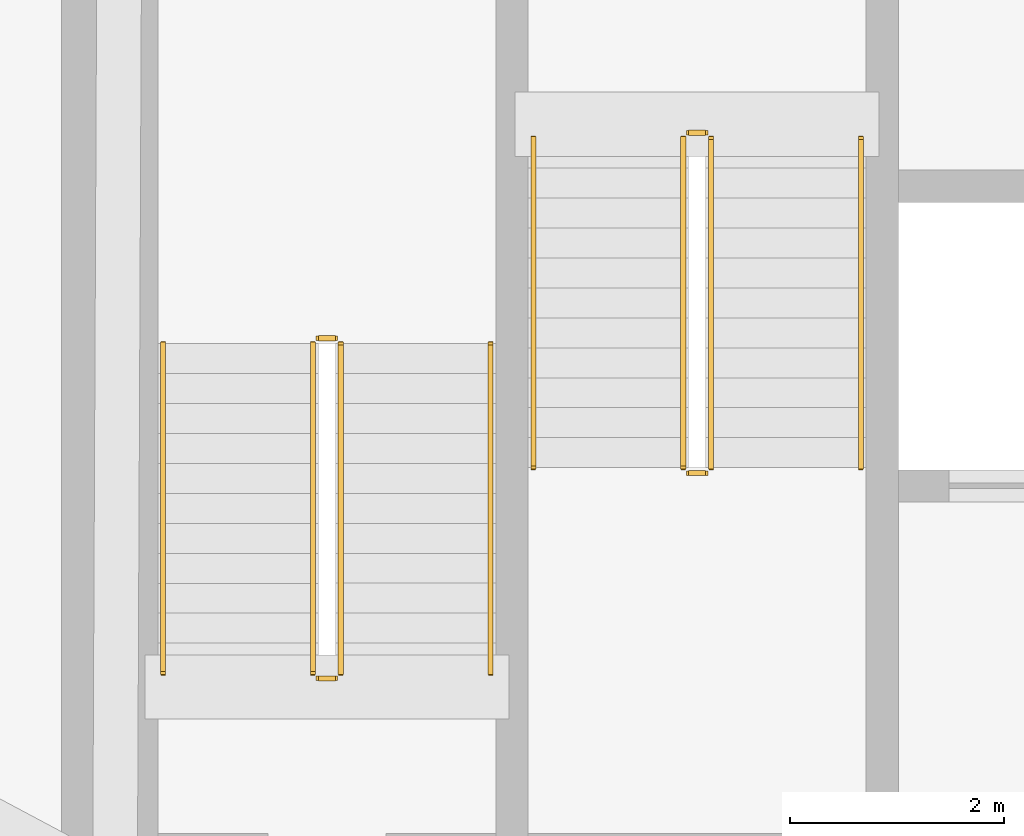
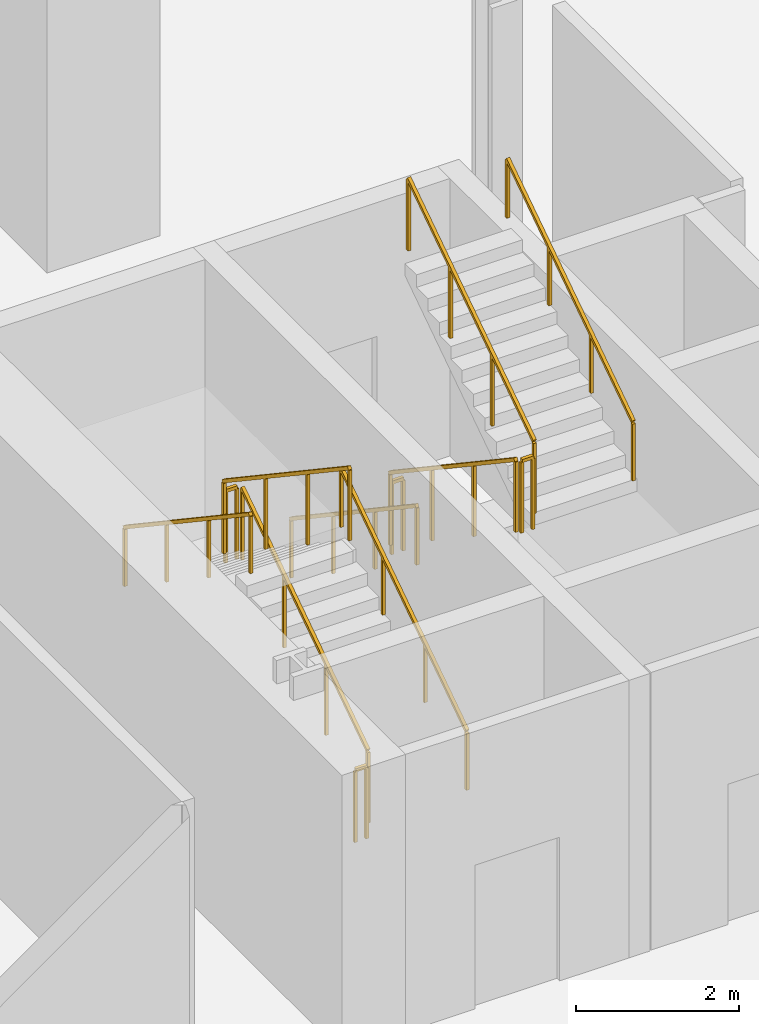
# One storey, part 9 of 10: 12 railings.
"""IFC4 building model written with IfcOpenShell, lengths in metres."""

from ifc_helpers import new_model, si_unit, direction, frame, origin, origin_2d, place, context, subcontext, project, spatial, rectangle, extrude, material, type_object, element, save


model = new_model("IFC4")

# Units and contexts
model_context = context("Model", 3, precision=1e-05, world=origin(), true_north=direction((0.0, 1.0)))
body_context = subcontext(model_context, "Body", "Model", "MODEL_VIEW")
ifc_project = project(units=[si_unit("LENGTHUNIT", "METRE"), si_unit("AREAUNIT", "SQUARE_METRE"), si_unit("VOLUMEUNIT", "CUBIC_METRE"), si_unit("PLANEANGLEUNIT", "RADIAN"), si_unit("MASSUNIT", "GRAM", prefix="KILO"), si_unit("THERMODYNAMICTEMPERATUREUNIT", "KELVIN"), si_unit("POWERUNIT", "WATT")], contexts=[model_context])

# Site, building, storey
site_placement = place(None, origin())
site = spatial("IfcSite", under=ifc_project, at=site_placement, CompositionType="ELEMENT")
building_placement = place(site_placement, origin())
building = spatial("IfcBuilding", under=site, at=building_placement, Name="Cundina Bronze Exchange", CompositionType="ELEMENT")
storey_placement = place(building_placement, frame((0.0, 0.0, -4.5)))
storey = spatial("IfcBuildingStorey", under=building, at=storey_placement, Name="B01", CompositionType="ELEMENT", Elevation=-4.5)

# Railings
ifc_material = material(Name="Steel ASTM A36 Painted", Category="steel")
railing_type_1 = type_object("IfcRailingType", Name="RLG-HND-900", PredefinedType="HANDRAIL", material=ifc_material)
railing_1_placement = place(storey_placement, frame((-27.7900390625, 5.85009765625, 0.1875)))
element("IfcRailing", 1, at=railing_1_placement, inside=storey, type_object=railing_type_1, Name="B01 ST-W1 stair handrail 1", PredefinedType="HANDRAIL", context=body_context, shape_type="SweptSolid", body=[
    extrude(rectangle(XDim=0.048095703125, YDim=0.048095703125, at=origin_2d()), frame((0.0, 0.0, 0.8759765625), z_axis=(0.0, 0.830893310487, 0.556431762742), x_axis=(-1.0, 0.0, 0.0)), (0.0, 0.0, 1.0), 3.70654296875),
    extrude(rectangle(XDim=0.0419921875, YDim=0.0419921875, at=origin_2d()), origin(), (0.0, 0.0, 1.0), 0.851806640625),
    extrude(rectangle(XDim=0.0419921875, YDim=0.0419921875, at=origin_2d()), frame((0.0, 1.026611328125, 0.6875)), (0.0, 0.0, 1.0), 0.851806640625),
    extrude(rectangle(XDim=0.0419921875, YDim=0.0419921875, at=origin_2d()), frame((0.0, 2.05322265625, 1.375)), (0.0, 0.0, 1.0), 0.851806640625),
    extrude(rectangle(XDim=0.0419921875, YDim=0.0419921875, at=origin_2d()), frame((0.0, 3.079833984375, 2.0625)), (0.0, 0.0, 1.0), 0.851806640625),
])
railing_2_placement = place(storey_placement, frame((-30.85009765625, 8.929931640625, 2.4375)))
element("IfcRailing", 2, at=railing_2_placement, inside=storey, type_object=railing_type_1, Name="B01 ST-W1 stair handrail 2", PredefinedType="HANDRAIL", context=body_context, shape_type="SweptSolid", body=[
    extrude(rectangle(XDim=0.048095703125, YDim=0.048095703125, at=origin_2d()), frame((0.0, 0.0, 0.8759765625), z_axis=(0.0, -0.830893310487, 0.556431762742), x_axis=(1.0, 0.0, 0.0)), (0.0, 0.0, 1.0), 3.70654296875),
    extrude(rectangle(XDim=0.0419921875, YDim=0.0419921875, at=origin_2d()), origin(), (0.0, 0.0, 1.0), 0.851806640625),
    extrude(rectangle(XDim=0.0419921875, YDim=0.0419921875, at=origin_2d()), frame((0.0, -1.026611328125, 0.6875)), (0.0, 0.0, 1.0), 0.851806640625),
    extrude(rectangle(XDim=0.0419921875, YDim=0.0419921875, at=origin_2d()), frame((0.0, -2.05322265625, 1.375)), (0.0, 0.0, 1.0), 0.851806640625),
    extrude(rectangle(XDim=0.0419921875, YDim=0.0419921875, at=origin_2d()), frame((0.0, -3.079833984375, 2.0625)), (0.0, 0.0, 1.0), 0.851806640625),
])
railing_3_placement = place(storey_placement, frame((-27.389892578125, 10.85009765625, 0.1875)))
element("IfcRailing", 3, at=railing_3_placement, inside=storey, type_object=railing_type_1, Name="B01 ST-W2 stair handrail 1", PredefinedType="HANDRAIL", context=body_context, shape_type="SweptSolid", body=[
    extrude(rectangle(XDim=0.048095703125, YDim=0.048095703125, at=origin_2d()), frame((0.0, 0.0, 0.8759765625), z_axis=(0.0, -0.830913701846, 0.55640131208), x_axis=(1.0, 0.0, 0.0)), (0.0, 0.0, 1.0), 3.706787109375),
    extrude(rectangle(XDim=0.0419921875, YDim=0.0419921875, at=origin_2d()), origin(), (0.0, 0.0, 1.0), 0.851806640625),
    extrude(rectangle(XDim=0.0419921875, YDim=0.0419921875, at=origin_2d()), frame((0.0, -1.026611328125, 0.6875)), (0.0, 0.0, 1.0), 0.851806640625),
    extrude(rectangle(XDim=0.0419921875, YDim=0.0419921875, at=origin_2d()), frame((0.0, -2.053466796875, 1.375)), (0.0, 0.0, 1.0), 0.851806640625),
    extrude(rectangle(XDim=0.0419921875, YDim=0.0419921875, at=origin_2d()), frame((0.0, -3.080078125, 2.0625)), (0.0, 0.0, 1.0), 0.851806640625),
])
railing_4_placement = place(storey_placement, frame((-24.330078125, 7.77001953125, 2.4375)))
element("IfcRailing", 4, at=railing_4_placement, inside=storey, type_object=railing_type_1, Name="B01 ST-W2 stair handrail 2", PredefinedType="HANDRAIL", context=body_context, shape_type="SweptSolid", body=[
    extrude(rectangle(XDim=0.048095703125, YDim=0.048095703125, at=origin_2d()), frame((0.0, 0.0, 0.8759765625), z_axis=(0.0, 0.830913701846, 0.55640131208), x_axis=(-1.0, 0.0, 0.0)), (0.0, 0.0, 1.0), 3.706787109375),
    extrude(rectangle(XDim=0.0419921875, YDim=0.0419921875, at=origin_2d()), origin(), (0.0, 0.0, 1.0), 0.851806640625),
    extrude(rectangle(XDim=0.0419921875, YDim=0.0419921875, at=origin_2d()), frame((0.0, 1.026611328125, 0.6875)), (0.0, 0.0, 1.0), 0.851806640625),
    extrude(rectangle(XDim=0.0419921875, YDim=0.0419921875, at=origin_2d()), frame((0.0, 2.053466796875, 1.375)), (0.0, 0.0, 1.0), 0.851806640625),
    extrude(rectangle(XDim=0.0419921875, YDim=0.0419921875, at=origin_2d()), frame((0.0, 3.080078125, 2.0625)), (0.0, 0.0, 1.0), 0.851806640625),
])
railing_type_2 = type_object("IfcRailingType", Name="RLG-STG-1100", PredefinedType="GUARDRAIL", material=ifc_material)
railing_5_placement = place(storey_placement, frame((-29.18994140625, 5.85009765625, 0.1875)))
element("IfcRailing", 5, at=railing_5_placement, inside=storey, type_object=railing_type_2, Name="B01 ST-W1 stair guard 1", PredefinedType="GUARDRAIL", context=body_context, shape_type="SweptSolid", body=[
    extrude(rectangle(XDim=0.048095703125, YDim=0.048095703125, at=origin_2d()), frame((0.0, 0.0, 1.076171875), z_axis=(0.0, 0.830893310487, 0.556431762742), x_axis=(-1.0, 0.0, 0.0)), (0.0, 0.0, 1.0), 3.70654296875),
    extrude(rectangle(XDim=0.0419921875, YDim=0.0419921875, at=origin_2d()), origin(), (0.0, 0.0, 1.0), 1.052001953125),
    extrude(rectangle(XDim=0.0419921875, YDim=0.0419921875, at=origin_2d()), frame((0.0, 1.026611328125, 0.6875)), (0.0, 0.0, 1.0), 1.052001953125),
    extrude(rectangle(XDim=0.0419921875, YDim=0.0419921875, at=origin_2d()), frame((0.0, 2.05322265625, 1.375)), (0.0, 0.0, 1.0), 1.052001953125),
    extrude(rectangle(XDim=0.0419921875, YDim=0.0419921875, at=origin_2d()), frame((0.0, 3.079833984375, 2.0625)), (0.0, 0.0, 1.0), 1.052001953125),
])
railing_6_placement = place(storey_placement, frame((-29.239990234375, 8.97998046875, 2.25)))
element("IfcRailing", 6, at=railing_6_placement, inside=storey, type_object=railing_type_2, Name="B01 ST-W1 stair guard 2", PredefinedType="GUARDRAIL", context=body_context, shape_type="SweptSolid", body=[
    extrude(rectangle(XDim=0.048095703125, YDim=0.048095703125, at=origin_2d()), frame((0.0, 0.0, 1.076171875), z_axis=(-1.0, 0.0, 0.0), x_axis=(0.0, -1.0, 0.0)), (0.0, 0.0, 1.0), 0.159912109375),
    extrude(rectangle(XDim=0.0419921875, YDim=0.0419921875, at=origin_2d()), origin(), (0.0, 0.0, 1.0), 1.052001953125),
    extrude(rectangle(XDim=0.0419921875, YDim=0.0419921875, at=origin_2d()), frame((-0.159912109375, 0.0, 0.0)), (0.0, 0.0, 1.0), 1.052001953125),
])
railing_7_placement = place(storey_placement, frame((-29.449951171875, 8.929931640625, 2.4375)))
element("IfcRailing", 7, at=railing_7_placement, inside=storey, type_object=railing_type_2, Name="B01 ST-W1 stair guard 3", PredefinedType="GUARDRAIL", context=body_context, shape_type="SweptSolid", body=[
    extrude(rectangle(XDim=0.048095703125, YDim=0.048095703125, at=origin_2d()), frame((0.0, 0.0, 1.076171875), z_axis=(0.0, -0.830893310487, 0.556431762742), x_axis=(1.0, 0.0, 0.0)), (0.0, 0.0, 1.0), 3.70654296875),
    extrude(rectangle(XDim=0.0419921875, YDim=0.0419921875, at=origin_2d()), origin(), (0.0, 0.0, 1.0), 1.052001953125),
    extrude(rectangle(XDim=0.0419921875, YDim=0.0419921875, at=origin_2d()), frame((0.0, -1.026611328125, 0.6875)), (0.0, 0.0, 1.0), 1.052001953125),
    extrude(rectangle(XDim=0.0419921875, YDim=0.0419921875, at=origin_2d()), frame((0.0, -2.05322265625, 1.375)), (0.0, 0.0, 1.0), 1.052001953125),
    extrude(rectangle(XDim=0.0419921875, YDim=0.0419921875, at=origin_2d()), frame((0.0, -3.079833984375, 2.0625)), (0.0, 0.0, 1.0), 1.052001953125),
])
railing_8_placement = place(storey_placement, frame((-29.239990234375, 5.800048828125, 0.0)))
element("IfcRailing", 8, at=railing_8_placement, inside=storey, type_object=railing_type_2, Name="B01 ST-W1 stair guard 4", PredefinedType="GUARDRAIL", context=body_context, shape_type="SweptSolid", body=[
    extrude(rectangle(XDim=0.048095703125, YDim=0.048095703125, at=origin_2d()), frame((0.0, 0.0, 1.076171875), z_axis=(-1.0, 0.0, 0.0), x_axis=(0.0, -1.0, 0.0)), (0.0, 0.0, 1.0), 0.159912109375),
    extrude(rectangle(XDim=0.0419921875, YDim=0.0419921875, at=origin_2d()), origin(), (0.0, 0.0, 1.0), 1.052001953125),
    extrude(rectangle(XDim=0.0419921875, YDim=0.0419921875, at=origin_2d()), frame((-0.159912109375, 0.0, 0.0)), (0.0, 0.0, 1.0), 1.052001953125),
])
railing_9_placement = place(storey_placement, frame((-25.989990234375, 10.85009765625, 0.1875)))
element("IfcRailing", 9, at=railing_9_placement, inside=storey, type_object=railing_type_2, Name="B01 ST-W2 stair guard 1", PredefinedType="GUARDRAIL", context=body_context, shape_type="SweptSolid", body=[
    extrude(rectangle(XDim=0.048095703125, YDim=0.048095703125, at=origin_2d()), frame((0.0, 0.0, 1.076171875), z_axis=(0.0, -0.830913701846, 0.55640131208), x_axis=(1.0, 0.0, 0.0)), (0.0, 0.0, 1.0), 3.706787109375),
    extrude(rectangle(XDim=0.0419921875, YDim=0.0419921875, at=origin_2d()), origin(), (0.0, 0.0, 1.0), 1.052001953125),
    extrude(rectangle(XDim=0.0419921875, YDim=0.0419921875, at=origin_2d()), frame((0.0, -1.026611328125, 0.6875)), (0.0, 0.0, 1.0), 1.052001953125),
    extrude(rectangle(XDim=0.0419921875, YDim=0.0419921875, at=origin_2d()), frame((0.0, -2.053466796875, 1.375)), (0.0, 0.0, 1.0), 1.052001953125),
    extrude(rectangle(XDim=0.0419921875, YDim=0.0419921875, at=origin_2d()), frame((0.0, -3.080078125, 2.0625)), (0.0, 0.0, 1.0), 1.052001953125),
])
railing_10_placement = place(storey_placement, frame((-25.93994140625, 7.719970703125, 2.25)))
element("IfcRailing", 10, at=railing_10_placement, inside=storey, type_object=railing_type_2, Name="B01 ST-W2 stair guard 2", PredefinedType="GUARDRAIL", context=body_context, shape_type="SweptSolid", body=[
    extrude(rectangle(XDim=0.048095703125, YDim=0.048095703125, at=origin_2d()), frame((0.0, 0.0, 1.076171875), z_axis=(1.0, 0.0, 0.0), x_axis=(0.0, 1.0, 0.0)), (0.0, 0.0, 1.0), 0.159912109375),
    extrude(rectangle(XDim=0.0419921875, YDim=0.0419921875, at=origin_2d()), origin(), (0.0, 0.0, 1.0), 1.052001953125),
    extrude(rectangle(XDim=0.0419921875, YDim=0.0419921875, at=origin_2d()), frame((0.159912109375, 0.0, 0.0)), (0.0, 0.0, 1.0), 1.052001953125),
])
railing_11_placement = place(storey_placement, frame((-25.72998046875, 7.77001953125, 2.4375)))
element("IfcRailing", 11, at=railing_11_placement, inside=storey, type_object=railing_type_2, Name="B01 ST-W2 stair guard 3", PredefinedType="GUARDRAIL", context=body_context, shape_type="SweptSolid", body=[
    extrude(rectangle(XDim=0.048095703125, YDim=0.048095703125, at=origin_2d()), frame((0.0, 0.0, 1.076171875), z_axis=(0.0, 0.830913701846, 0.55640131208), x_axis=(-1.0, 0.0, 0.0)), (0.0, 0.0, 1.0), 3.706787109375),
    extrude(rectangle(XDim=0.0419921875, YDim=0.0419921875, at=origin_2d()), origin(), (0.0, 0.0, 1.0), 1.052001953125),
    extrude(rectangle(XDim=0.0419921875, YDim=0.0419921875, at=origin_2d()), frame((0.0, 1.026611328125, 0.6875)), (0.0, 0.0, 1.0), 1.052001953125),
    extrude(rectangle(XDim=0.0419921875, YDim=0.0419921875, at=origin_2d()), frame((0.0, 2.053466796875, 1.375)), (0.0, 0.0, 1.0), 1.052001953125),
    extrude(rectangle(XDim=0.0419921875, YDim=0.0419921875, at=origin_2d()), frame((0.0, 3.080078125, 2.0625)), (0.0, 0.0, 1.0), 1.052001953125),
])
railing_12_placement = place(storey_placement, frame((-25.93994140625, 10.89990234375, 0.0)))
element("IfcRailing", 12, at=railing_12_placement, inside=storey, type_object=railing_type_2, Name="B01 ST-W2 stair guard 4", PredefinedType="GUARDRAIL", context=body_context, shape_type="SweptSolid", body=[
    extrude(rectangle(XDim=0.048095703125, YDim=0.048095703125, at=origin_2d()), frame((0.0, 0.0, 1.076171875), z_axis=(1.0, 0.0, 0.0), x_axis=(0.0, 1.0, 0.0)), (0.0, 0.0, 1.0), 0.159912109375),
    extrude(rectangle(XDim=0.0419921875, YDim=0.0419921875, at=origin_2d()), origin(), (0.0, 0.0, 1.0), 1.052001953125),
    extrude(rectangle(XDim=0.0419921875, YDim=0.0419921875, at=origin_2d()), frame((0.159912109375, 0.0, 0.0)), (0.0, 0.0, 1.0), 1.052001953125),
])

save(model, "model.ifc")
